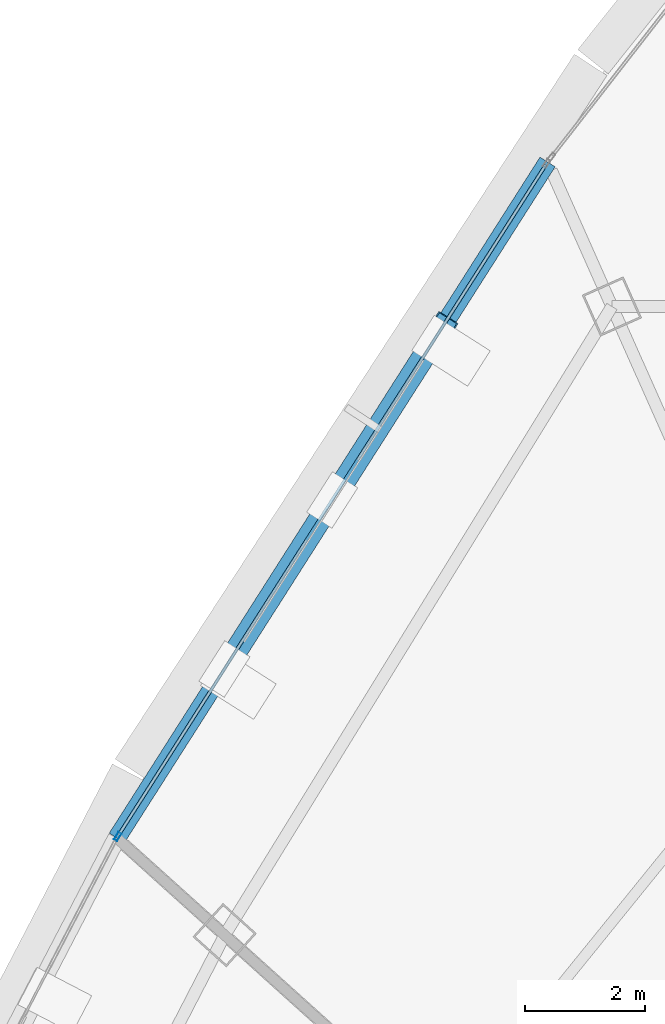
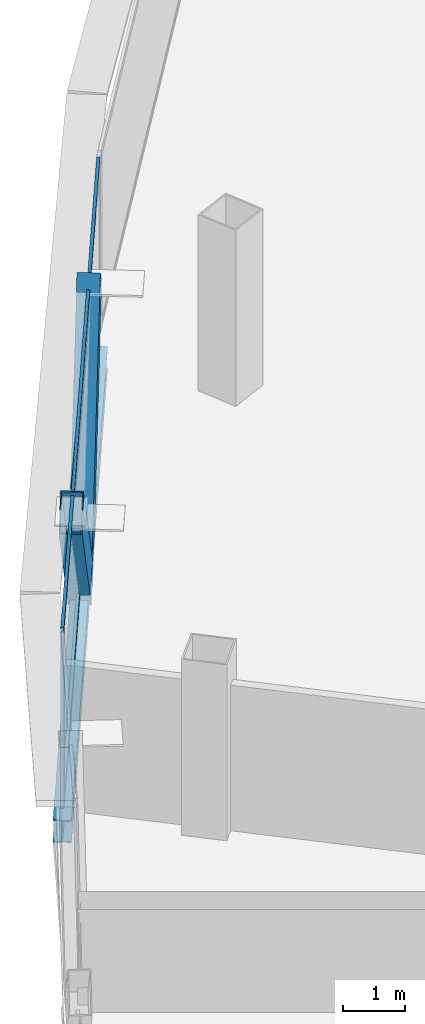
# One storey, part 20 of 39: 5 members, 1 beam, 1 element without a shape of its own.
"""IFC4 building model written with IfcOpenShell, lengths in metres."""

from ifc_helpers import new_model, si_unit, direction, frame, origin, origin_2d, place, context, subcontext, project, spatial, hollow_rectangle, i_section, extrude, source, transform, mapped, material, layer, layer_set, material_profile, profile_set, type_object, element, aggregate, save


model = new_model("IFC4")

# Units and contexts
model_context = context("Model", 3, precision=1e-05, world=origin(), true_north=direction((0.0, 1.0)))
body_context = subcontext(model_context, "Body", "Model", "MODEL_VIEW")
ifc_project = project(units=[si_unit("LENGTHUNIT", "METRE"), si_unit("AREAUNIT", "SQUARE_METRE"), si_unit("VOLUMEUNIT", "CUBIC_METRE"), si_unit("PLANEANGLEUNIT", "RADIAN"), si_unit("MASSUNIT", "GRAM", prefix="KILO"), si_unit("THERMODYNAMICTEMPERATUREUNIT", "KELVIN"), si_unit("POWERUNIT", "WATT")], contexts=[model_context])

# Site, building, storey
site_placement = place(None, origin())
site = spatial("IfcSite", under=ifc_project, at=site_placement, CompositionType="ELEMENT")
building_placement = place(site_placement, origin())
building = spatial("IfcBuilding", under=site, at=building_placement, Name="Yunzhuo Pagoda Commons", CompositionType="ELEMENT")
storey_placement = place(building_placement, frame((0.0, 0.0, 296.2099609375)))
storey = spatial("IfcBuildingStorey", under=building, at=storey_placement, Name="L74", CompositionType="ELEMENT", Elevation=296.2099609375)

# Beam
ifc_material_1 = material(Name="Structural steel Q355B", Category="steel")
ifc_material_profile_1 = material_profile(ifc_material_1, i_section(OverallWidth=0.300048828125, OverallDepth=0.43994140625, WebThickness=0.010986328125, FlangeThickness=0.01806640625, at=origin_2d()), Name="Structural steel Q355B")
ifc_profile_set_1 = profile_set([ifc_material_profile_1], Name="Structural steel Q355B")
beam_type = type_object("IfcBeamType", Name="B-SP2 Beam HM 440x300x11x18", PredefinedType="BEAM", material=ifc_profile_set_1)
shared_shape_1 = source(origin(), body_context, "Body", "SweptSolid", [
    extrude(i_section(OverallWidth=0.300048828125, OverallDepth=0.43994140625, WebThickness=0.010986328125, FlangeThickness=0.01806640625, at=origin_2d()), origin(), (0.0, 0.0, 1.0), 13.37060546875),
])
beam_placement = place(storey_placement, frame((34.8125, 63.319580078125, -0.479736328125), z_axis=(-0.537394066708, -0.843331261763, 0.0), x_axis=(0.843331261763, -0.537394066708, 0.0)))
element("IfcBeam", 1, at=beam_placement, inside=storey, type_object=beam_type, Name="L74 facade edge spandrel beam F3.1", PredefinedType="BEAM", context=body_context, shape_type="MappedRepresentation", body=[
    mapped(shared_shape_1, transform((0.0, 0.0, 0.0), scale=1.0)),
])

# Members
ifc_material_profile_2 = material_profile(ifc_material_1, hollow_rectangle(XDim=0.3798828125, YDim=0.719970703125, WallThickness=0.02001953125, at=origin_2d()), Name="Structural steel Q355B")
ifc_profile_set_2 = profile_set([ifc_material_profile_2], Name="Structural steel Q355B")
member_type_1 = type_object("IfcMemberType", Name="M-DL3 Brace BOX 720x380x20", PredefinedType="BRACE", material=ifc_profile_set_2)
shared_shape_2 = source(origin(), body_context, "Body", "SweptSolid", [
    extrude(hollow_rectangle(XDim=0.3798828125, YDim=0.719970703125, WallThickness=0.02001953125, at=origin_2d()), origin(), (0.0, 0.0, 1.0), 5.008544921875),
])
for number, where, z_axis, x_axis, name in (
    (2, (31.219970703125, 57.681640625, -0.260009765625), (0.358611081243, 0.562849280292, 0.744713891427), (-0.843366631896, 0.537338556409, 0.0), "L74 facade diamond brace F3.1L"),
    (3, (31.219970703125, 57.681640625, -0.260009765625), (-0.358663395256, -0.562806137759, 0.744721303713), (0.843312439259, -0.537423603678, 0.0), "L74 facade diamond brace F3.1R"),
):
    element("IfcMember", number, at=place(storey_placement, frame(where, z_axis=z_axis, x_axis=x_axis)), inside=storey, type_object=member_type_1, Name=name, PredefinedType="BRACE", context=body_context, shape_type="MappedRepresentation", body=[
        mapped(shared_shape_2, transform((0.0, 0.0, 0.0), scale=1.0)),
    ])

# Curtain wall, members
ifc_material_2 = material(Name="Anodized aluminium 6063-T6", Category="aluminium")
ifc_layer = layer(ifc_material_2, 0.139892578125)
ifc_layer_set = layer_set([ifc_layer], Name="Anodized aluminium 6063-T6")
curtain_wall_type = type_object("IfcCurtainWallType", Name="CW-HI High-Zone Ribbon Curtain Wall", PredefinedType="NOTDEFINED", material=ifc_layer_set)
curtain_wall_placement = place(storey_placement, origin())
curtain_wall = element("IfcCurtainWall", 4, at=curtain_wall_placement, inside=storey, type_object=curtain_wall_type, Name="L74 curtain wall CW-L74-F3B2", PredefinedType="NOTDEFINED")
ifc_material_profile_3 = material_profile(ifc_material_2, hollow_rectangle(XDim=0.06005859375, YDim=0.139892578125, WallThickness=0.00341796875, at=origin_2d()), Name="Anodized aluminium 6063-T6")
ifc_profile_set_3 = profile_set([ifc_material_profile_3], Name="Anodized aluminium 6063-T6")
member_type_2 = type_object("IfcMemberType", Name="CW-HI-M Mullion RHS 140x60x3.5", PredefinedType="MULLION", material=ifc_profile_set_3)
shared_shape_3 = source(origin(), body_context, "Body", "SweptSolid", [
    extrude(hollow_rectangle(XDim=0.06005859375, YDim=0.139892578125, WallThickness=0.00341796875, at=origin_2d()), origin(), (0.0, 0.0, 1.0), 3.469970703125),
])
member_1_placement = place(storey_placement, frame((27.6435546875, 52.069091796875, 0.0), z_axis=(0.0, 0.0, 1.0), x_axis=(0.84332965014, -0.537396595816, 0.0)))
member_1 = element("IfcMember", 5, at=member_1_placement, type_object=member_type_2, Name="CW mullion 2", PredefinedType="MULLION", context=body_context, shape_type="MappedRepresentation", body=[
    mapped(shared_shape_3, transform((0.0, 0.0, 0.0), scale=1.0)),
])
ifc_material_profile_4 = material_profile(ifc_material_2, hollow_rectangle(XDim=0.054931640625, YDim=0.1201171875, WallThickness=0.00341796875, at=origin_2d()), Name="Anodized aluminium 6063-T6")
ifc_profile_set_4 = profile_set([ifc_material_profile_4], Name="Anodized aluminium 6063-T6")
member_type_3 = type_object("IfcMemberType", Name="CW-HI-T Transom RHS 120x55x3.5", PredefinedType="USERDEFINED", material=ifc_profile_set_4)
shared_shape_4 = source(origin(), body_context, "Body", "SweptSolid", [
    extrude(hollow_rectangle(XDim=0.054931640625, YDim=0.1201171875, WallThickness=0.00341796875, at=origin_2d()), origin(), (0.0, 0.0, 1.0), 13.25048828125),
])
member_2_placement = place(storey_placement, frame((34.7802734375, 63.26904296875, 0.027587890625), z_axis=(-0.537399957032, -0.843327508256, 0.0), x_axis=(0.843327508256, -0.537399957032, 0.0)))
member_2 = element("IfcMember", 6, at=member_2_placement, type_object=member_type_3, Name="CW transom 1.1", ObjectType="TRANSOM", PredefinedType="USERDEFINED", context=body_context, shape_type="MappedRepresentation", body=[
    mapped(shared_shape_4, transform((0.0, 0.0, 0.0), scale=1.0)),
])
member_3_placement = place(storey_placement, frame((34.7802734375, 63.26904296875, 3.442626953125), z_axis=(-0.537399957032, -0.843327508256, 0.0), x_axis=(0.843327508256, -0.537399957032, 0.0)))
member_3 = element("IfcMember", 7, at=member_3_placement, type_object=member_type_3, Name="CW transom 1.2", ObjectType="TRANSOM", PredefinedType="USERDEFINED", context=body_context, shape_type="MappedRepresentation", body=[
    mapped(shared_shape_4, transform((0.0, 0.0, 0.0), scale=1.0)),
])
aggregate(curtain_wall, [member_1, member_2, member_3])

save(model, "model.ifc")
